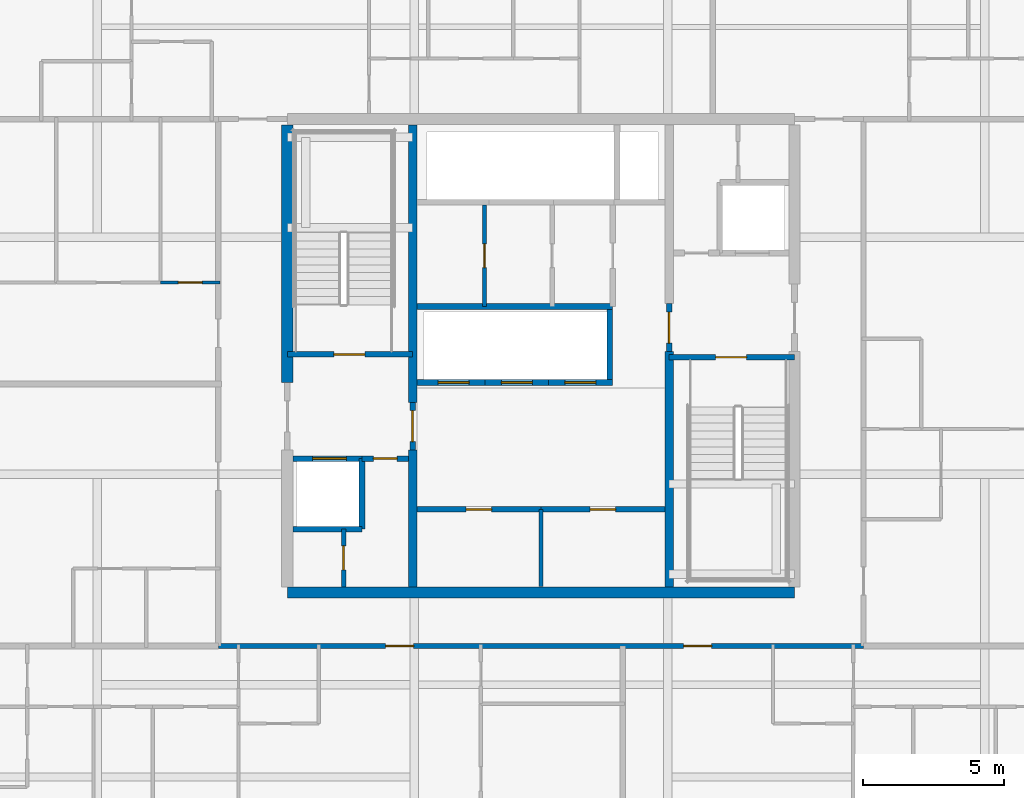
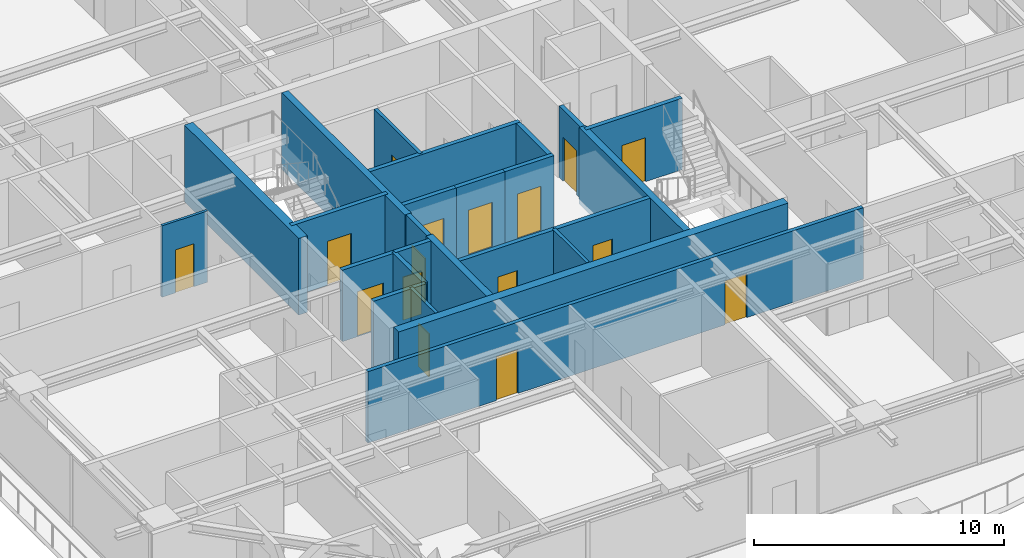
# One storey, part 28 of 38: 25 walls, 16 doors, 16 openings.
"""IFC4 building model written with IfcOpenShell, lengths in metres."""

from ifc_helpers import new_model, si_unit, direction, frame, frame_2d, origin, place, context, subcontext, project, spatial, rectangle, extrude, source, transform, mapped, material, layer, layer_set, type_object, element, fill, save


model = new_model("IFC4")

# Units and contexts
model_context = context("Model", 3, precision=1e-05, world=origin(), true_north=direction((0.0, 1.0)))
body_context = subcontext(model_context, "Body", "Model", "MODEL_VIEW")
ifc_project = project(units=[si_unit("LENGTHUNIT", "METRE"), si_unit("AREAUNIT", "SQUARE_METRE"), si_unit("VOLUMEUNIT", "CUBIC_METRE"), si_unit("PLANEANGLEUNIT", "RADIAN"), si_unit("MASSUNIT", "GRAM", prefix="KILO")], contexts=[model_context])

# Site, building, storey
site_placement = place(None, origin())
site = spatial("IfcSite", under=ifc_project, at=site_placement, CompositionType="ELEMENT")
building_placement = place(site_placement, origin())
building = spatial("IfcBuilding", under=site, at=building_placement, Name="Serunith Strait Residences", CompositionType="ELEMENT")
storey_placement = place(building_placement, frame((0.0, 0.0, 176.39990234375)))
storey = spatial("IfcBuildingStorey", under=building, at=storey_placement, Name="L44", CompositionType="ELEMENT", Elevation=176.39990234375)

# Wall, opening, door
ifc_material_1 = material(Name="Fire-rated masonry service closet wall", Category="masonry")
ifc_layer_1 = layer(ifc_material_1, 0.14990234375, Name="Fire-rated masonry service closet wall")
ifc_layer_set_1 = layer_set([ifc_layer_1], Name="Fire-rated masonry service closet wall")
wall_type_1 = type_object("IfcWallType", Name="IW-BOH-150", PredefinedType="PARTITIONING", material=ifc_layer_set_1)
wall_1_placement = place(storey_placement, frame((25.39990234375, 17.0, 0.0), z_axis=(0.0, 0.0, 1.0), x_axis=(0.0, 1.0, 0.0)))
wall_1 = element("IfcWall", 1, at=wall_1_placement, inside=storey, type_object=wall_type_1, Name="L44 Partition Wall 012", PredefinedType="PARTITIONING", context=body_context, shape_type="SweptSolid", body=[
    extrude(rectangle(XDim=2.050048828125, YDim=0.14990234375, at=frame_2d((1.02490234375, 0.0))), origin(), (0.0, 0.0, 1.0), 3.489990234375),
])
opening_1_placement = place(wall_1_placement, frame((0.60009765625, 0.0, 0.0)))
opening_1 = element("IfcOpeningElement", 2, at=opening_1_placement, cuts=wall_1, Name="Opening FD-850", PredefinedType="OPENING", context=body_context, shape_type="SweptSolid", body=[
    extrude(rectangle(XDim=0.85009765625, YDim=2.10009765625, at=frame_2d((0.425048828125, 1.050048828125))), frame((0.0, 0.0849609375, 0.0), z_axis=(0.0, -1.0, 0.0), x_axis=(1.0, 0.0, 0.0)), (0.0, 0.0, 1.0), 0.169921875),
])
ifc_material_2 = material(Name="Powder-coated steel service closet door", Category="steel")
door_type_1 = type_object("IfcDoorType", Name="FD-BOH-850", OperationType="NOTDEFINED", PredefinedType="DOOR", material=ifc_material_2)
shared_shape_1 = source(origin(), body_context, "Body", "SweptSolid", [
    extrude(rectangle(XDim=0.85009765625, YDim=2.10009765625, at=frame_2d((0.425048828125, 1.050048828125))), frame((0.0, 0.02490234375, 0.0), z_axis=(0.0, -1.0, 0.0), x_axis=(1.0, 0.0, 0.0)), (0.0, 0.0, 1.0), 0.050048828125),
])
door_1_placement = place(opening_1_placement, origin())
door_1 = element("IfcDoor", 3, at=door_1_placement, inside=storey, type_object=door_type_1, Name="L44 Sprinkler Plant Door", OperationType="SINGLE_SWING_RIGHT", OverallHeight=2.10009765625, OverallWidth=0.85009765625, PredefinedType="DOOR", context=body_context, shape_type="MappedRepresentation", body=[
    mapped(shared_shape_1, transform((0.0, 0.0, 0.0), scale=1.0)),
])
fill(opening_1, door_1)

wall_2_placement = place(storey_placement, frame((30.39990234375, 26.949951171875, 0.0), z_axis=(0.0, 0.0, 1.0), x_axis=(0.0, 1.0, 0.0)))
wall_2 = element("IfcWall", 4, at=wall_2_placement, inside=storey, type_object=wall_type_1, Name="L44 Partition Wall 016", PredefinedType="PARTITIONING", context=body_context, shape_type="SweptSolid", body=[
    extrude(rectangle(XDim=3.60009765625, YDim=0.14990234375, at=frame_2d((1.800048828125, 0.0))), origin(), (0.0, 0.0, 1.0), 3.489990234375),
])
opening_2_placement = place(wall_2_placement, frame((1.375, 0.0, 0.0)))
opening_2 = element("IfcOpeningElement", 5, at=opening_2_placement, cuts=wall_2, Name="Opening FD-850", PredefinedType="OPENING", context=body_context, shape_type="SweptSolid", body=[
    extrude(rectangle(XDim=0.85009765625, YDim=2.10009765625, at=frame_2d((0.425048828125, 1.050048828125))), frame((0.0, 0.0849609375, 0.0), z_axis=(0.0, -1.0, 0.0), x_axis=(1.0, 0.0, 0.0)), (0.0, 0.0, 1.0), 0.169921875),
])
door_2_placement = place(opening_2_placement, origin())
door_2 = element("IfcDoor", 6, at=door_2_placement, inside=storey, type_object=door_type_1, Name="L44 Housekeeping Supply Door", OperationType="SINGLE_SWING_RIGHT", OverallHeight=2.10009765625, OverallWidth=0.85009765625, PredefinedType="DOOR", context=body_context, shape_type="MappedRepresentation", body=[
    mapped(shared_shape_1, transform((0.0, 0.0, 0.0), scale=1.0)),
])
fill(opening_2, door_2)

# Wall
wall_3_placement = place(storey_placement, frame((32.39990234375, 17.02001953125, 0.0), z_axis=(0.0, 0.0, 1.0), x_axis=(0.0, 1.0, 0.0)))
element("IfcWall", 7, at=wall_3_placement, inside=storey, type_object=wall_type_1, Name="L44 Partition Wall 019", PredefinedType="PARTITIONING", context=body_context, shape_type="SweptSolid", body=[
    extrude(rectangle(XDim=2.72998046875, YDim=0.14990234375, at=frame_2d((1.364990234375, 0.0))), origin(), (0.0, 0.0, 1.0), 3.489990234375),
])

# Wall, openings, doors
ifc_material_3 = material(Name="Fire-rated acoustic gypsum partition")
ifc_layer_2 = layer(ifc_material_3, 0.179931640625, Name="Fire-rated acoustic gypsum partition")
ifc_layer_set_2 = layer_set([ifc_layer_2], Name="Fire-rated acoustic gypsum partition")
wall_type_2 = type_object("IfcWallType", Name="IW-CORR-180", PredefinedType="PARTITIONING", material=ifc_layer_set_2)
wall_4_placement = place(storey_placement, frame((20.951904296875, 14.89990234375, 0.0), z_axis=(0.0, 0.0, 1.0), x_axis=(1.0, 0.0, 0.0)))
wall_4 = element("IfcWall", 8, at=wall_4_placement, inside=storey, type_object=wall_type_2, Name="L44 Partition Wall 027", PredefinedType="PARTITIONING", context=body_context, shape_type="SweptSolid", body=[
    extrude(rectangle(XDim=22.89599609375, YDim=0.179931640625, at=frame_2d((11.447998046875, 0.0))), origin(), (0.0, 0.0, 1.0), 3.489990234375),
])
opening_3_placement = place(wall_4_placement, frame((5.93408203125, 0.0, 0.0)))
opening_3 = element("IfcOpeningElement", 9, at=opening_3_placement, cuts=wall_4, Name="Opening D-APT1000", PredefinedType="OPENING", context=body_context, shape_type="SweptSolid", body=[
    extrude(rectangle(XDim=1.0, YDim=2.14990234375, at=frame_2d((0.5, 1.074951171875))), frame((0.0, 0.10009765625, 0.0), z_axis=(0.0, -1.0, 0.0), x_axis=(1.0, 0.0, 0.0)), (0.0, 0.0, 1.0), 0.199951171875),
])
opening_4_placement = place(wall_4_placement, frame((16.510009765625, 0.0, 0.0)))
opening_4 = element("IfcOpeningElement", 10, at=opening_4_placement, cuts=wall_4, Name="Opening D-APT1000", PredefinedType="OPENING", context=body_context, shape_type="SweptSolid", body=[
    extrude(rectangle(XDim=1.0, YDim=2.14990234375, at=frame_2d((0.5, 1.074951171875))), frame((0.0, 0.10009765625, 0.0), z_axis=(0.0, -1.0, 0.0), x_axis=(1.0, 0.0, 0.0)), (0.0, 0.0, 1.0), 0.199951171875),
])
ifc_material_4 = material(Name="Solid timber engineered fire door", Category="wood")
door_type_2 = type_object("IfcDoorType", Name="ID-APT-1000", OperationType="NOTDEFINED", PredefinedType="DOOR", material=ifc_material_4)
shared_shape_2 = source(origin(), body_context, "Body", "SweptSolid", [
    extrude(rectangle(XDim=1.0, YDim=2.14990234375, at=frame_2d((0.5, 1.074951171875))), frame((0.0, 0.02490234375, 0.0), z_axis=(0.0, -1.0, 0.0), x_axis=(1.0, 0.0, 0.0)), (0.0, 0.0, 1.0), 0.050048828125),
])
door_3_placement = place(opening_3_placement, origin())
door_3 = element("IfcDoor", 11, at=door_3_placement, inside=storey, type_object=door_type_2, Name="L44 Unit 01 Entrance Door", OperationType="SINGLE_SWING_LEFT", OverallHeight=2.14990234375, OverallWidth=1.0, PredefinedType="DOOR", context=body_context, shape_type="MappedRepresentation", body=[
    mapped(shared_shape_2, transform((0.0, 0.0, 0.0), scale=1.0)),
])
fill(opening_3, door_3)
door_4_placement = place(opening_4_placement, origin())
door_4 = element("IfcDoor", 12, at=door_4_placement, inside=storey, type_object=door_type_2, Name="L44 Unit 02 Entrance Door", OperationType="SINGLE_SWING_RIGHT", OverallHeight=2.14990234375, OverallWidth=1.0, PredefinedType="DOOR", context=body_context, shape_type="MappedRepresentation", body=[
    mapped(shared_shape_2, transform((0.0, 0.0, 0.0), scale=1.0)),
])
fill(opening_4, door_4)

# Wall, opening, door
ifc_material_5 = material(Name="Lightweight steel-stud gypsum partition", Category="steel")
ifc_layer_3 = layer(ifc_material_5, 0.1201171875, Name="Lightweight steel-stud gypsum partition")
ifc_layer_set_3 = layer_set([ifc_layer_3], Name="Lightweight steel-stud gypsum partition")
wall_type_3 = type_object("IfcWallType", Name="IW-PART-120", PredefinedType="PARTITIONING", material=ifc_layer_set_3)
wall_5_placement = place(storey_placement, frame((18.902099609375, 27.800048828125, 0.0), z_axis=(0.0, 0.0, 1.0), x_axis=(1.0, 0.0, 0.0)))
wall_5 = element("IfcWall", 13, at=wall_5_placement, inside=storey, type_object=wall_type_3, Name="L44 Partition Wall 112", PredefinedType="PARTITIONING", context=body_context, shape_type="SweptSolid", body=[
    extrude(rectangle(XDim=2.10791015625, YDim=0.1201171875, at=frame_2d((1.053955078125, 0.0))), origin(), (0.0, 0.0, 1.0), 3.489990234375),
])
opening_5_placement = place(wall_5_placement, frame((0.62890625, 0.0, 0.0)))
opening_5 = element("IfcOpeningElement", 14, at=opening_5_placement, cuts=wall_5, Name="Opening D-BTH850", PredefinedType="OPENING", context=body_context, shape_type="SweptSolid", body=[
    extrude(rectangle(XDim=0.85009765625, YDim=2.10009765625, at=frame_2d((0.425048828125, 1.050048828125))), frame((0.0, 0.070068359375, 0.0), z_axis=(0.0, -1.0, 0.0), x_axis=(1.0, 0.0, 0.0)), (0.0, 0.0, 1.0), 0.14013671875),
])
ifc_material_6 = material(Name="Moisture-resistant timber bathroom door", Category="wood")
door_type_3 = type_object("IfcDoorType", Name="ID-BATH-850", OperationType="NOTDEFINED", PredefinedType="DOOR", material=ifc_material_6)
door_5_placement = place(opening_5_placement, origin())
door_5 = element("IfcDoor", 15, at=door_5_placement, inside=storey, type_object=door_type_3, Name="L44 Bathroom 4406 Door", OperationType="SINGLE_SWING_LEFT", OverallHeight=2.10009765625, OverallWidth=0.85009765625, PredefinedType="DOOR", context=body_context, shape_type="MappedRepresentation", body=[
    mapped(shared_shape_1, transform((0.0, 0.0, 0.0), scale=1.0)),
])
fill(opening_5, door_5)

ifc_material_7 = material(Name="Autoclaved aerated concrete blockwork", Category="masonry")
ifc_layer_4 = layer(ifc_material_7, 0.199951171875, Name="Autoclaved aerated concrete blockwork")
ifc_layer_set_4 = layer_set([ifc_layer_4], Name="Autoclaved aerated concrete blockwork")
wall_type_4 = type_object("IfcWallType", Name="IW-SHAFT-200", PredefinedType="STANDARD", material=ifc_layer_set_4)
wall_6_placement = place(storey_placement, frame((23.39990234375, 25.25, 0.0), z_axis=(0.0, 0.0, 1.0), x_axis=(1.0, 0.0, 0.0)))
wall_6 = element("IfcWall", 16, at=wall_6_placement, inside=storey, type_object=wall_type_4, Name="L44 ST-1 South Shaft Wall", PredefinedType="STANDARD", context=body_context, shape_type="SweptSolid", body=[
    extrude(rectangle(XDim=4.4501953125, YDim=0.199951171875, at=frame_2d((2.22509765625, 0.0))), origin(), (0.0, 0.0, 1.0), 3.489990234375),
])
opening_6_placement = place(wall_6_placement, frame((1.64990234375, 0.0, 0.0)))
opening_6 = element("IfcOpeningElement", 17, at=opening_6_placement, cuts=wall_6, Name="Opening FD-1100", PredefinedType="OPENING", context=body_context, shape_type="SweptSolid", body=[
    extrude(rectangle(XDim=1.10009765625, YDim=2.14990234375, at=frame_2d((0.550048828125, 1.074951171875))), frame((0.0, 0.10986328125, 0.0), z_axis=(0.0, -1.0, 0.0), x_axis=(1.0, 0.0, 0.0)), (0.0, 0.0, 1.0), 0.219970703125),
])
ifc_material_8 = material(Name="Galvanised steel fire door leaf", Category="steel")
door_type_4 = type_object("IfcDoorType", Name="FD-STAIR-1100", OperationType="NOTDEFINED", PredefinedType="DOOR", material=ifc_material_8)
shared_shape_3 = source(origin(), body_context, "Body", "SweptSolid", [
    extrude(rectangle(XDim=1.10009765625, YDim=2.14990234375, at=frame_2d((0.550048828125, 1.074951171875))), frame((0.0, 0.02490234375, 0.0), z_axis=(0.0, -1.0, 0.0), x_axis=(1.0, 0.0, 0.0)), (0.0, 0.0, 1.0), 0.050048828125),
])
door_6_placement = place(opening_6_placement, origin())
door_6 = element("IfcDoor", 18, at=door_6_placement, inside=storey, type_object=door_type_4, Name="L44 ST-1 Escape Stair Door", OperationType="SINGLE_SWING_RIGHT", OverallHeight=2.14990234375, OverallWidth=1.10009765625, PredefinedType="DOOR", context=body_context, shape_type="MappedRepresentation", body=[
    mapped(shared_shape_3, transform((0.0, 0.0, 0.0), scale=1.0)),
])
fill(opening_6, door_6)

wall_7_placement = place(storey_placement, frame((36.949951171875, 25.14990234375, 0.0), z_axis=(0.0, 0.0, 1.0), x_axis=(1.0, 0.0, 0.0)))
wall_7 = element("IfcWall", 19, at=wall_7_placement, inside=storey, type_object=wall_type_4, Name="L44 ST-2 North Shaft Wall", PredefinedType="STANDARD", context=body_context, shape_type="SweptSolid", body=[
    extrude(rectangle(XDim=4.449951171875, YDim=0.199951171875, at=frame_2d((2.22509765625, 0.0))), origin(), (0.0, 0.0, 1.0), 3.489990234375),
])
opening_7_placement = place(wall_7_placement, frame((1.64990234375, 0.0, 0.0)))
opening_7 = element("IfcOpeningElement", 20, at=opening_7_placement, cuts=wall_7, Name="Opening FD-1100", PredefinedType="OPENING", context=body_context, shape_type="SweptSolid", body=[
    extrude(rectangle(XDim=1.10009765625, YDim=2.14990234375, at=frame_2d((0.550048828125, 1.074951171875))), frame((0.0, 0.10986328125, 0.0), z_axis=(0.0, -1.0, 0.0), x_axis=(1.0, 0.0, 0.0)), (0.0, 0.0, 1.0), 0.219970703125),
])
door_7_placement = place(opening_7_placement, origin())
door_7 = element("IfcDoor", 21, at=door_7_placement, inside=storey, type_object=door_type_4, Name="L44 ST-2 Escape Stair Door", OperationType="SINGLE_SWING_LEFT", OverallHeight=2.14990234375, OverallWidth=1.10009765625, PredefinedType="DOOR", context=body_context, shape_type="MappedRepresentation", body=[
    mapped(shared_shape_3, transform((0.0, 0.0, 0.0), scale=1.0)),
])
fill(opening_7, door_7)

wall_8_placement = place(storey_placement, frame((23.60009765625, 21.550048828125, 0.0), z_axis=(0.0, 0.0, 1.0), x_axis=(1.0, 0.0, 0.0)))
wall_8 = element("IfcWall", 22, at=wall_8_placement, inside=storey, type_object=wall_type_4, Name="L44 FL-1 North Shaft Wall", PredefinedType="STANDARD", context=body_context, shape_type="SweptSolid", body=[
    extrude(rectangle(XDim=2.449951171875, YDim=0.199951171875, at=frame_2d((1.22509765625, 0.0))), origin(), (0.0, 0.0, 1.0), 3.489990234375),
])
opening_8_placement = place(wall_8_placement, frame((0.699951171875, 0.0, 0.0)))
opening_8 = element("IfcOpeningElement", 23, at=opening_8_placement, cuts=wall_8, Name="Opening LD-FF1200", PredefinedType="OPENING", context=body_context, shape_type="SweptSolid", body=[
    extrude(rectangle(XDim=1.199951171875, YDim=2.199951171875, at=frame_2d((0.60009765625, 1.10009765625))), frame((0.0, 0.10986328125, 0.0), z_axis=(0.0, -1.0, 0.0), x_axis=(1.0, 0.0, 0.0)), (0.0, 0.0, 1.0), 0.219970703125),
])
ifc_material_9 = material(Name="Brushed stainless steel landing door", Category="steel")
door_type_5 = type_object("IfcDoorType", Name="LD-FF-1200", OperationType="DOUBLE_DOOR_SLIDING", PredefinedType="DOOR", material=ifc_material_9)
shared_shape_4 = source(origin(), body_context, "Body", "SweptSolid", [
    extrude(rectangle(XDim=1.199951171875, YDim=2.199951171875, at=frame_2d((0.60009765625, 1.10009765625))), frame((0.0, 0.02490234375, 0.0), z_axis=(0.0, -1.0, 0.0), x_axis=(1.0, 0.0, 0.0)), (0.0, 0.0, 1.0), 0.050048828125),
])
door_8_placement = place(opening_8_placement, origin())
door_8 = element("IfcDoor", 24, at=door_8_placement, inside=storey, type_object=door_type_5, Name="L44 FL-1 Landing Door", OperationType="DOUBLE_DOOR_SLIDING", OverallHeight=2.199951171875, OverallWidth=1.199951171875, PredefinedType="DOOR", context=body_context, shape_type="MappedRepresentation", body=[
    mapped(shared_shape_4, transform((0.0, 0.0, 0.0), scale=1.0)),
])
fill(opening_8, door_8)

wall_9_placement = place(storey_placement, frame((28.0, 24.25, 0.0), z_axis=(0.0, 0.0, 1.0), x_axis=(1.0, 0.0, 0.0)))
wall_9 = element("IfcWall", 25, at=wall_9_placement, inside=storey, type_object=wall_type_4, Name="L44 PL-4 South Shaft Wall", PredefinedType="STANDARD", context=body_context, shape_type="SweptSolid", body=[
    extrude(rectangle(XDim=2.425048828125, YDim=0.199951171875, at=frame_2d((1.21240234375, 0.0))), origin(), (0.0, 0.0, 1.0), 3.489990234375),
])
opening_9_placement = place(wall_9_placement, frame((0.75, 0.0, 0.0)))
opening_9 = element("IfcOpeningElement", 26, at=opening_9_placement, cuts=wall_9, Name="Opening LD-1100", PredefinedType="OPENING", context=body_context, shape_type="SweptSolid", body=[
    extrude(rectangle(XDim=1.10009765625, YDim=2.199951171875, at=frame_2d((0.550048828125, 1.10009765625))), frame((0.0, 0.10986328125, 0.0), z_axis=(0.0, -1.0, 0.0), x_axis=(1.0, 0.0, 0.0)), (0.0, 0.0, 1.0), 0.219970703125),
])
ifc_material_10 = material(Name="Pale-champagne stainless landing door")
door_type_6 = type_object("IfcDoorType", Name="LD-LIFT-1100", OperationType="DOUBLE_DOOR_SLIDING", PredefinedType="DOOR", material=ifc_material_10)
shared_shape_5 = source(origin(), body_context, "Body", "SweptSolid", [
    extrude(rectangle(XDim=1.10009765625, YDim=2.199951171875, at=frame_2d((0.550048828125, 1.10009765625))), frame((0.0, 0.02490234375, 0.0), z_axis=(0.0, -1.0, 0.0), x_axis=(1.0, 0.0, 0.0)), (0.0, 0.0, 1.0), 0.050048828125),
])
door_9_placement = place(opening_9_placement, origin())
door_9 = element("IfcDoor", 27, at=door_9_placement, inside=storey, type_object=door_type_6, Name="L44 PL-4 Landing Door", OperationType="DOUBLE_DOOR_SLIDING", OverallHeight=2.199951171875, OverallWidth=1.10009765625, PredefinedType="DOOR", context=body_context, shape_type="MappedRepresentation", body=[
    mapped(shared_shape_5, transform((0.0, 0.0, 0.0), scale=1.0)),
])
fill(opening_9, door_9)

wall_10_placement = place(storey_placement, frame((30.425048828125, 24.25, 0.0), z_axis=(0.0, 0.0, 1.0), x_axis=(1.0, 0.0, 0.0)))
wall_10 = element("IfcWall", 28, at=wall_10_placement, inside=storey, type_object=wall_type_4, Name="L44 PL-5 South Shaft Wall", PredefinedType="STANDARD", context=body_context, shape_type="SweptSolid", body=[
    extrude(rectangle(XDim=2.25, YDim=0.199951171875, at=frame_2d((1.125, 0.0))), origin(), (0.0, 0.0, 1.0), 3.489990234375),
])
opening_10_placement = place(wall_10_placement, frame((0.574951171875, 0.0, 0.0)))
opening_10 = element("IfcOpeningElement", 29, at=opening_10_placement, cuts=wall_10, Name="Opening LD-1100", PredefinedType="OPENING", context=body_context, shape_type="SweptSolid", body=[
    extrude(rectangle(XDim=1.10009765625, YDim=2.199951171875, at=frame_2d((0.550048828125, 1.10009765625))), frame((0.0, 0.10986328125, 0.0), z_axis=(0.0, -1.0, 0.0), x_axis=(1.0, 0.0, 0.0)), (0.0, 0.0, 1.0), 0.219970703125),
])
door_10_placement = place(opening_10_placement, origin())
door_10 = element("IfcDoor", 30, at=door_10_placement, inside=storey, type_object=door_type_6, Name="L44 PL-5 Landing Door", OperationType="DOUBLE_DOOR_SLIDING", OverallHeight=2.199951171875, OverallWidth=1.10009765625, PredefinedType="DOOR", context=body_context, shape_type="MappedRepresentation", body=[
    mapped(shared_shape_5, transform((0.0, 0.0, 0.0), scale=1.0)),
])
fill(opening_10, door_10)

wall_11_placement = place(storey_placement, frame((32.675048828125, 24.25, 0.0), z_axis=(0.0, 0.0, 1.0), x_axis=(1.0, 0.0, 0.0)))
wall_11 = element("IfcWall", 31, at=wall_11_placement, inside=storey, type_object=wall_type_4, Name="L44 PL-6 South Shaft Wall", PredefinedType="STANDARD", context=body_context, shape_type="SweptSolid", body=[
    extrude(rectangle(XDim=2.27490234375, YDim=0.199951171875, at=frame_2d((1.137451171875, 0.0))), origin(), (0.0, 0.0, 1.0), 3.489990234375),
])
opening_11_placement = place(wall_11_placement, frame((0.574951171875, 0.0, 0.0)))
opening_11 = element("IfcOpeningElement", 32, at=opening_11_placement, cuts=wall_11, Name="Opening LD-1100", PredefinedType="OPENING", context=body_context, shape_type="SweptSolid", body=[
    extrude(rectangle(XDim=1.10009765625, YDim=2.199951171875, at=frame_2d((0.550048828125, 1.10009765625))), frame((0.0, 0.10986328125, 0.0), z_axis=(0.0, -1.0, 0.0), x_axis=(1.0, 0.0, 0.0)), (0.0, 0.0, 1.0), 0.219970703125),
])
door_11_placement = place(opening_11_placement, origin())
door_11 = element("IfcDoor", 33, at=door_11_placement, inside=storey, type_object=door_type_6, Name="L44 PL-6 Landing Door", OperationType="DOUBLE_DOOR_SLIDING", OverallHeight=2.199951171875, OverallWidth=1.10009765625, PredefinedType="DOOR", context=body_context, shape_type="MappedRepresentation", body=[
    mapped(shared_shape_5, transform((0.0, 0.0, 0.0), scale=1.0)),
])
fill(opening_11, door_11)

# Walls
for number, where, z_axis, x_axis, name in (
    (34, (34.85009765625, 24.35009765625, 0.0), (0.0, 0.0, 1.0), (0.0, 1.0, 0.0), "L44 PL-6 East Shaft Wall"),
    (35, (26.050048828125, 19.050048828125, 0.0), (0.0, 0.0, 1.0), (0.0, 1.0, 0.0), "L44 Partition Wall 001"),
):
    element("IfcWall", number, at=place(storey_placement, frame(where, z_axis=z_axis, x_axis=x_axis)), inside=storey, type_object=wall_type_4, Name=name, PredefinedType="STANDARD", context=body_context, shape_type="SweptSolid", body=[
        extrude(rectangle(XDim=2.5, YDim=0.199951171875, at=frame_2d((1.25, 0.0))), origin(), (0.0, 0.0, 1.0), 3.489990234375),
    ])
wall_12_placement = place(storey_placement, frame((23.60009765625, 19.050048828125, 0.0), z_axis=(0.0, 0.0, 1.0), x_axis=(1.0, 0.0, 0.0)))
element("IfcWall", 36, at=wall_12_placement, inside=storey, type_object=wall_type_4, Name="L44 Partition Wall 002", PredefinedType="STANDARD", context=body_context, shape_type="SweptSolid", body=[
    extrude(rectangle(XDim=2.449951171875, YDim=0.199951171875, at=frame_2d((1.22509765625, 0.0))), origin(), (0.0, 0.0, 1.0), 3.489990234375),
])

# Wall, opening, door
wall_13_placement = place(storey_placement, frame((26.052001953125, 21.550048828125, 0.0), z_axis=(0.0, 0.0, 1.0), x_axis=(1.0, 0.0, 0.0)))
wall_13 = element("IfcWall", 37, at=wall_13_placement, inside=storey, type_object=wall_type_4, Name="L44 Partition Wall 003", PredefinedType="STANDARD", context=body_context, shape_type="SweptSolid", body=[
    extrude(rectangle(XDim=1.64794921875, YDim=0.199951171875, at=frame_2d((0.823974609375, 0.0))), origin(), (0.0, 0.0, 1.0), 3.489990234375),
])
opening_12_placement = place(wall_13_placement, frame((0.39892578125, 0.0, 0.0)))
opening_12 = element("IfcOpeningElement", 38, at=opening_12_placement, cuts=wall_13, Name="Opening FD-850", PredefinedType="OPENING", context=body_context, shape_type="SweptSolid", body=[
    extrude(rectangle(XDim=0.85009765625, YDim=2.10009765625, at=frame_2d((0.425048828125, 1.050048828125))), frame((0.0, 0.10986328125, 0.0), z_axis=(0.0, -1.0, 0.0), x_axis=(1.0, 0.0, 0.0)), (0.0, 0.0, 1.0), 0.219970703125),
])
door_12_placement = place(opening_12_placement, origin())
door_12 = element("IfcDoor", 39, at=door_12_placement, inside=storey, type_object=door_type_1, Name="L44 South-West Core Service Door", OperationType="SINGLE_SWING_RIGHT", OverallHeight=2.10009765625, OverallWidth=0.85009765625, PredefinedType="DOOR", context=body_context, shape_type="MappedRepresentation", body=[
    mapped(shared_shape_1, transform((0.0, 0.0, 0.0), scale=1.0)),
])
fill(opening_12, door_12)

wall_14_placement = place(storey_placement, frame((27.85009765625, 21.85205078125, 0.0), z_axis=(0.0, 0.0, 1.0), x_axis=(0.0, 1.0, 0.0)))
wall_14 = element("IfcWall", 40, at=wall_14_placement, inside=storey, type_object=wall_type_4, Name="L44 Partition Wall 009", PredefinedType="STANDARD", context=body_context, shape_type="SweptSolid", body=[
    extrude(rectangle(XDim=1.696044921875, YDim=0.199951171875, at=frame_2d((0.84814453125, 0.0))), origin(), (0.0, 0.0, 1.0), 3.489990234375),
])
opening_13_placement = place(wall_14_placement, frame((0.298095703125, 0.0, 0.0)))
opening_13 = element("IfcOpeningElement", 41, at=opening_13_placement, cuts=wall_14, Name="Opening FD-FFL", PredefinedType="OPENING", context=body_context, shape_type="SweptSolid", body=[
    extrude(rectangle(XDim=1.10009765625, YDim=2.14990234375, at=frame_2d((0.550048828125, 1.074951171875))), frame((0.0, 0.10986328125, 0.0), z_axis=(0.0, -1.0, 0.0), x_axis=(1.0, 0.0, 0.0)), (0.0, 0.0, 1.0), 0.219970703125),
])
ifc_material_11 = material(Name="Glazed steel smoke-lobby fire door", Category="steel")
door_type_7 = type_object("IfcDoorType", Name="FD-FFL-1100", OperationType="NOTDEFINED", PredefinedType="DOOR", material=ifc_material_11)
door_13_placement = place(opening_13_placement, origin())
door_13 = element("IfcDoor", 42, at=door_13_placement, inside=storey, type_object=door_type_7, Name="L44 FFL-1 Lift Lobby Door", OperationType="SINGLE_SWING_RIGHT", OverallHeight=2.14990234375, OverallWidth=1.10009765625, PredefinedType="DOOR", context=body_context, shape_type="MappedRepresentation", body=[
    mapped(shared_shape_3, transform((0.0, 0.0, 0.0), scale=1.0)),
])
fill(opening_13, door_13)

wall_15_placement = place(storey_placement, frame((36.949951171875, 25.35205078125, 0.0), z_axis=(0.0, 0.0, 1.0), x_axis=(0.0, 1.0, 0.0)))
wall_15 = element("IfcWall", 43, at=wall_15_placement, inside=storey, type_object=wall_type_4, Name="L44 Partition Wall 010", PredefinedType="STANDARD", context=body_context, shape_type="SweptSolid", body=[
    extrude(rectangle(XDim=1.696044921875, YDim=0.199951171875, at=frame_2d((0.84814453125, 0.0))), origin(), (0.0, 0.0, 1.0), 3.489990234375),
])
opening_14_placement = place(wall_15_placement, frame((0.298095703125, 0.0, 0.0)))
opening_14 = element("IfcOpeningElement", 44, at=opening_14_placement, cuts=wall_15, Name="Opening FD-FFL", PredefinedType="OPENING", context=body_context, shape_type="SweptSolid", body=[
    extrude(rectangle(XDim=1.10009765625, YDim=2.14990234375, at=frame_2d((0.550048828125, 1.074951171875))), frame((0.0, 0.10986328125, 0.0), z_axis=(0.0, -1.0, 0.0), x_axis=(1.0, 0.0, 0.0)), (0.0, 0.0, 1.0), 0.219970703125),
])
door_14_placement = place(opening_14_placement, origin())
door_14 = element("IfcDoor", 45, at=door_14_placement, inside=storey, type_object=door_type_7, Name="L44 FFL-2 Lift Lobby Door", OperationType="SINGLE_SWING_LEFT", OverallHeight=2.14990234375, OverallWidth=1.10009765625, PredefinedType="DOOR", context=body_context, shape_type="MappedRepresentation", body=[
    mapped(shared_shape_3, transform((0.0, 0.0, 0.0), scale=1.0)),
])
fill(opening_14, door_14)

# Wall
wall_16_placement = place(storey_placement, frame((28.0, 26.949951171875, 0.0), z_axis=(0.0, 0.0, 1.0), x_axis=(1.0, 0.0, 0.0)))
element("IfcWall", 46, at=wall_16_placement, inside=storey, type_object=wall_type_4, Name="L44 Partition Wall 011", PredefinedType="STANDARD", context=body_context, shape_type="SweptSolid", body=[
    extrude(rectangle(XDim=6.949951171875, YDim=0.199951171875, at=frame_2d((3.47509765625, 0.0))), origin(), (0.0, 0.0, 1.0), 3.489990234375),
])

# Wall, opening, door
wall_17_placement = place(storey_placement, frame((28.0, 19.75, 0.0), z_axis=(0.0, 0.0, 1.0), x_axis=(1.0, 0.0, 0.0)))
wall_17 = element("IfcWall", 47, at=wall_17_placement, inside=storey, type_object=wall_type_4, Name="L44 Partition Wall 017", PredefinedType="STANDARD", context=body_context, shape_type="SweptSolid", body=[
    extrude(rectangle(XDim=4.39990234375, YDim=0.199951171875, at=frame_2d((2.199951171875, 0.0))), origin(), (0.0, 0.0, 1.0), 3.489990234375),
])
opening_15_placement = place(wall_17_placement, frame((1.75, 0.0, 0.0)))
opening_15 = element("IfcOpeningElement", 48, at=opening_15_placement, cuts=wall_17, Name="Opening FD-900", PredefinedType="OPENING", context=body_context, shape_type="SweptSolid", body=[
    extrude(rectangle(XDim=0.89990234375, YDim=2.10009765625, at=frame_2d((0.449951171875, 1.050048828125))), frame((0.0, 0.10986328125, 0.0), z_axis=(0.0, -1.0, 0.0), x_axis=(1.0, 0.0, 0.0)), (0.0, 0.0, 1.0), 0.219970703125),
])
ifc_material_12 = material(Name="Powder-coated steel riser door", Category="steel")
door_type_8 = type_object("IfcDoorType", Name="FD-BOH-900", OperationType="NOTDEFINED", PredefinedType="DOOR", material=ifc_material_12)
shared_shape_6 = source(origin(), body_context, "Body", "SweptSolid", [
    extrude(rectangle(XDim=0.89990234375, YDim=2.10009765625, at=frame_2d((0.449951171875, 1.050048828125))), frame((0.0, 0.02490234375, 0.0), z_axis=(0.0, -1.0, 0.0), x_axis=(1.0, 0.0, 0.0)), (0.0, 0.0, 1.0), 0.050048828125),
])
door_15_placement = place(opening_15_placement, origin())
door_15 = element("IfcDoor", 49, at=door_15_placement, inside=storey, type_object=door_type_8, Name="L44 Fan-Coil Plant Door", OperationType="SINGLE_SWING_LEFT", OverallHeight=2.10009765625, OverallWidth=0.89990234375, PredefinedType="DOOR", context=body_context, shape_type="MappedRepresentation", body=[
    mapped(shared_shape_6, transform((0.0, 0.0, 0.0), scale=1.0)),
])
fill(opening_15, door_15)

wall_18_placement = place(storey_placement, frame((32.402099609375, 19.75, 0.0), z_axis=(0.0, 0.0, 1.0), x_axis=(1.0, 0.0, 0.0)))
wall_18 = element("IfcWall", 50, at=wall_18_placement, inside=storey, type_object=wall_type_4, Name="L44 Partition Wall 018", PredefinedType="STANDARD", context=body_context, shape_type="SweptSolid", body=[
    extrude(rectangle(XDim=4.39794921875, YDim=0.199951171875, at=frame_2d((2.198974609375, 0.0))), origin(), (0.0, 0.0, 1.0), 3.489990234375),
])
opening_16_placement = place(wall_18_placement, frame((1.7490234375, 0.0, 0.0)))
opening_16 = element("IfcOpeningElement", 51, at=opening_16_placement, cuts=wall_18, Name="Opening FD-900", PredefinedType="OPENING", context=body_context, shape_type="SweptSolid", body=[
    extrude(rectangle(XDim=0.89990234375, YDim=2.10009765625, at=frame_2d((0.449951171875, 1.050048828125))), frame((0.0, 0.10986328125, 0.0), z_axis=(0.0, -1.0, 0.0), x_axis=(1.0, 0.0, 0.0)), (0.0, 0.0, 1.0), 0.219970703125),
])
door_16_placement = place(opening_16_placement, origin())
door_16 = element("IfcDoor", 52, at=door_16_placement, inside=storey, type_object=door_type_8, Name="L44 Battery UPS Plant Door", OperationType="SINGLE_SWING_RIGHT", OverallHeight=2.10009765625, OverallWidth=0.89990234375, PredefinedType="DOOR", context=body_context, shape_type="MappedRepresentation", body=[
    mapped(shared_shape_6, transform((0.0, 0.0, 0.0), scale=1.0)),
])
fill(opening_16, door_16)

# Walls
ifc_material_13 = material(Name="Concrete C70/85", Category="concrete")
ifc_layer_5 = layer(ifc_material_13, 0.300048828125, Name="Concrete C70/85")
ifc_layer_set_5 = layer_set([ifc_layer_5], Name="Concrete C70/85")
wall_type_5 = type_object("IfcWallType", Name="SW-300-C70", PredefinedType="SHEAR", material=ifc_layer_set_5)
wall_19_placement = place(storey_placement, frame((27.85009765625, 17.0, -0.260009765625), z_axis=(0.0, 0.0, 1.0), x_axis=(0.0, 1.0, 0.0)))
element("IfcWall", 53, at=wall_19_placement, inside=storey, type_object=wall_type_5, Name="L44 Core Internal West Web South Pier", PredefinedType="SHEAR", context=body_context, shape_type="SweptSolid", body=[
    extrude(rectangle(XDim=4.85009765625, YDim=0.300048828125, at=frame_2d((2.425048828125, 0.0))), origin(), (0.0, 0.0, 1.0), 3.748046875),
])
wall_20_placement = place(storey_placement, frame((27.85009765625, 23.550048828125, -0.260009765625), z_axis=(0.0, 0.0, 1.0), x_axis=(0.0, 1.0, 0.0)))
element("IfcWall", 54, at=wall_20_placement, inside=storey, type_object=wall_type_5, Name="L44 Core Internal West Web North Pier", PredefinedType="SHEAR", context=body_context, shape_type="SweptSolid", body=[
    extrude(rectangle(XDim=9.849853515625, YDim=0.300048828125, at=frame_2d((4.9248046875, 0.0))), origin(), (0.0, 0.0, 1.0), 3.748046875),
])
wall_21_placement = place(storey_placement, frame((36.949951171875, 17.0, -0.260009765625), z_axis=(0.0, 0.0, 1.0), x_axis=(0.0, 1.0, 0.0)))
element("IfcWall", 55, at=wall_21_placement, inside=storey, type_object=wall_type_5, Name="L44 Core Internal East Web South Pier", PredefinedType="SHEAR", context=body_context, shape_type="SweptSolid", body=[
    extrude(rectangle(XDim=8.35009765625, YDim=0.300048828125, at=frame_2d((4.175048828125, 0.0))), origin(), (0.0, 0.0, 1.0), 3.748046875),
])
ifc_layer_6 = layer(ifc_material_13, 0.39990234375, Name="Concrete C70/85")
ifc_layer_set_6 = layer_set([ifc_layer_6], Name="Concrete C70/85")
wall_type_6 = type_object("IfcWallType", Name="SW-400-C70", PredefinedType="SHEAR", material=ifc_layer_set_6)
wall_22_placement = place(storey_placement, frame((23.39990234375, 16.800048828125, -0.260009765625), z_axis=(0.0, 0.0, 1.0), x_axis=(1.0, 0.0, 0.0)))
element("IfcWall", 56, at=wall_22_placement, inside=storey, type_object=wall_type_6, Name="L44 Core South Shear Wall", PredefinedType="SHEAR", context=body_context, shape_type="SweptSolid", body=[
    extrude(rectangle(XDim=18.0, YDim=0.39990234375, at=frame_2d((9.0, 0.0))), origin(), (0.0, 0.0, 1.0), 3.748046875),
])
wall_23_placement = place(storey_placement, frame((23.39990234375, 24.25, -0.260009765625), z_axis=(0.0, 0.0, 1.0), x_axis=(0.0, 1.0, 0.0)))
element("IfcWall", 57, at=wall_23_placement, inside=storey, type_object=wall_type_6, Name="L44 Core West Shear Wall North Pier", PredefinedType="SHEAR", context=body_context, shape_type="SweptSolid", body=[
    extrude(rectangle(XDim=9.14990234375, YDim=0.39990234375, at=frame_2d((4.574951171875, 0.0))), origin(), (0.0, 0.0, 1.0), 3.748046875),
])

save(model, "model.ifc")
